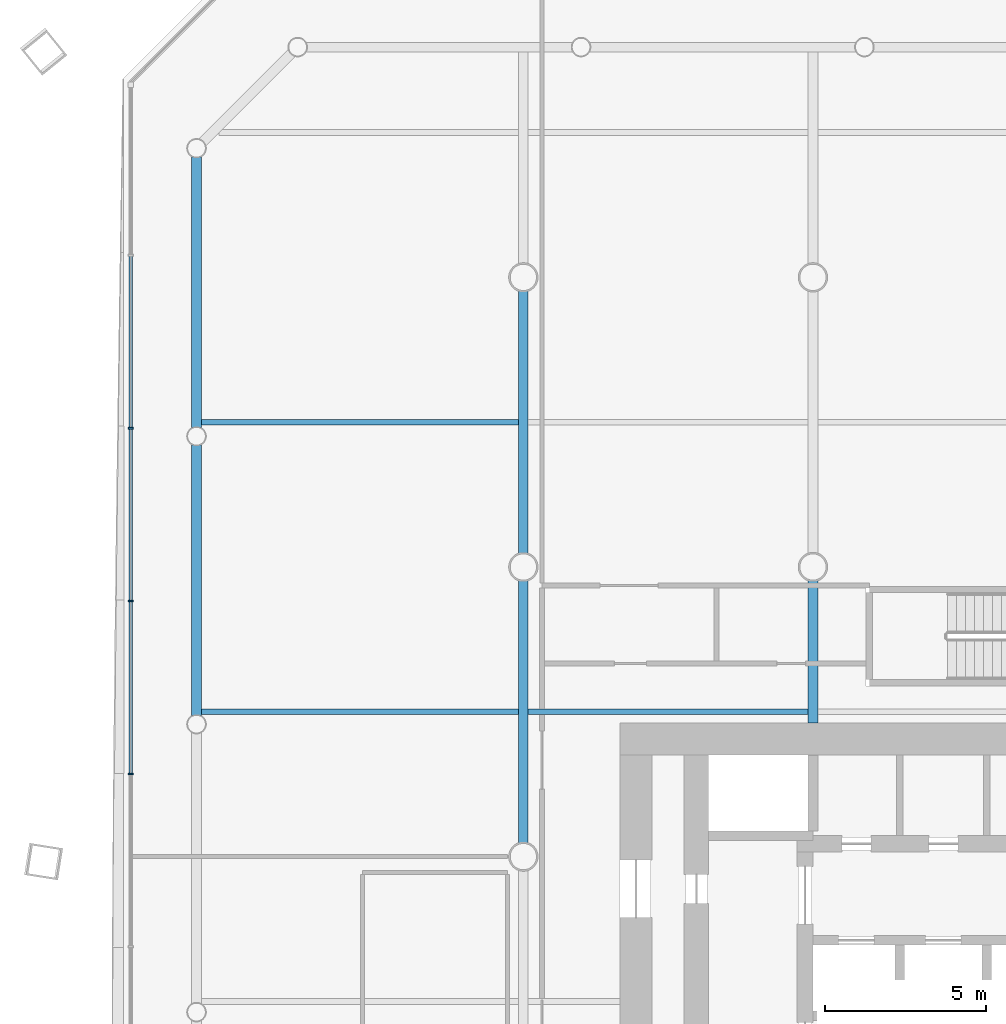
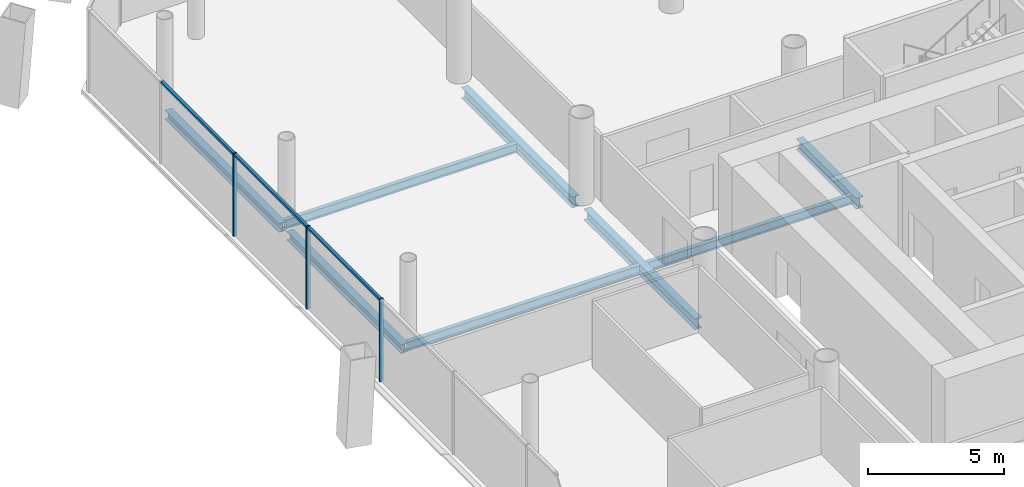
# One storey, part 8 of 22: 8 beams, 6 members, 1 element without a shape of its own.
"""IFC4 building model written with IfcOpenShell, lengths in metres."""

from ifc_helpers import new_model, si_unit, direction, frame, origin, origin_2d, place, context, subcontext, project, spatial, rectangle, i_section, extrude, material, material_profile, profile_set, type_object, element, aggregate, save


model = new_model("IFC4")

# Units and contexts
model_context = context("Model", 3, precision=1e-05, world=origin(), true_north=direction((0.0, 1.0)))
body_context = subcontext(model_context, "Body", "Model", "MODEL_VIEW")
ifc_project = project(units=[si_unit("LENGTHUNIT", "METRE"), si_unit("AREAUNIT", "SQUARE_METRE"), si_unit("VOLUMEUNIT", "CUBIC_METRE"), si_unit("PLANEANGLEUNIT", "RADIAN"), si_unit("MASSUNIT", "GRAM", prefix="KILO")], contexts=[model_context])

# Site, building, storey
site_placement = place(None, origin())
site = spatial("IfcSite", under=ifc_project, at=site_placement, CompositionType="ELEMENT")
building_placement = place(site_placement, origin())
building = spatial("IfcBuilding", under=site, at=building_placement, Name="Tskaro Facet Tower", CompositionType="ELEMENT")
storey_placement = place(building_placement, frame((0.0, 0.0, 30.300048828125)))
storey = spatial("IfcBuildingStorey", under=building, at=storey_placement, Name="L06", CompositionType="ELEMENT", Elevation=30.300048828125)

# Curtain wall, members
ifc_material_1 = material(Name="Bronze anodised aluminium 6063-T6", Category="aluminium")
curtain_wall_type = type_object("IfcCurtainWallType", Name="Bronze office curtain wall (FW1)", PredefinedType="NOTDEFINED", material=ifc_material_1)
curtain_wall_placement = place(storey_placement, origin())
curtain_wall = element("IfcCurtainWall", 1, at=curtain_wall_placement, inside=storey, type_object=curtain_wall_type, Name="FW1 west facet L06", PredefinedType="NOTDEFINED")
ifc_material_profile_1 = material_profile(ifc_material_1, rectangle(XDim=0.06005859375, YDim=0.159912109375, at=origin_2d()), Name="Mullion 60x160")
ifc_profile_set_1 = profile_set([ifc_material_profile_1], Name="Bronze anodised aluminium 6063-T6")
member_type_1 = type_object("IfcMemberType", Name="FW1 bronze mullion 60x160", PredefinedType="MULLION", material=ifc_profile_set_1)
member_1_placement = place(storey_placement, frame((-30.201904296875, 13.31689453125, 0.0), z_axis=(0.0, 0.0, 1.0), x_axis=(0.0, -1.0, 0.0)))
member_1 = element("IfcMember", 2, at=member_1_placement, type_object=member_type_1, Name="FW1 west mullion 2", PredefinedType="MULLION", context=body_context, shape_type="SweptSolid", body=[
    extrude(rectangle(XDim=0.06005859375, YDim=0.159912109375, at=origin_2d()), origin(), (0.0, 0.0, 1.0), 3.699951171875),
])
member_2_placement = place(storey_placement, frame((-30.201904296875, 7.9423828125, 0.0), z_axis=(0.0, 0.0, 1.0), x_axis=(0.0, -1.0, 0.0)))
member_2 = element("IfcMember", 3, at=member_2_placement, type_object=member_type_1, Name="FW1 west mullion 3", PredefinedType="MULLION", context=body_context, shape_type="SweptSolid", body=[
    extrude(rectangle(XDim=0.06005859375, YDim=0.159912109375, at=origin_2d()), origin(), (0.0, 0.0, 1.0), 3.699951171875),
])
member_3_placement = place(storey_placement, frame((-30.201904296875, 2.56787109375, 0.0), z_axis=(0.0, 0.0, 1.0), x_axis=(0.0, -1.0, 0.0)))
member_3 = element("IfcMember", 4, at=member_3_placement, type_object=member_type_1, Name="FW1 west mullion 4", PredefinedType="MULLION", context=body_context, shape_type="SweptSolid", body=[
    extrude(rectangle(XDim=0.06005859375, YDim=0.159912109375, at=origin_2d()), origin(), (0.0, 0.0, 1.0), 3.699951171875),
])
ifc_material_profile_2 = material_profile(ifc_material_1, rectangle(XDim=0.1201171875, YDim=0.10009765625, at=origin_2d()), Name="Transom 120x100")
ifc_profile_set_2 = profile_set([ifc_material_profile_2], Name="Bronze anodised aluminium 6063-T6")
member_type_2 = type_object("IfcMemberType", Name="FW1 bronze transom 120x100", PredefinedType="USERDEFINED", material=ifc_profile_set_2)
member_4_placement = place(storey_placement, frame((-30.201904296875, 18.661376953125, 3.64990234375), z_axis=(0.0, -1.0, 0.0), x_axis=(1.0, 0.0, 0.0)))
member_4 = element("IfcMember", 5, at=member_4_placement, type_object=member_type_2, Name="FW1 west transom 2.1", ObjectType="TRANSOM", PredefinedType="USERDEFINED", context=body_context, shape_type="SweptSolid", body=[
    extrude(rectangle(XDim=0.1201171875, YDim=0.10009765625, at=origin_2d()), origin(), (0.0, 0.0, 1.0), 5.314453125),
])
member_5_placement = place(storey_placement, frame((-30.201904296875, 13.286865234375, 3.64990234375), z_axis=(0.0, -1.0, 0.0), x_axis=(1.0, 0.0, 0.0)))
member_5 = element("IfcMember", 6, at=member_5_placement, type_object=member_type_2, Name="FW1 west transom 3.1", ObjectType="TRANSOM", PredefinedType="USERDEFINED", context=body_context, shape_type="SweptSolid", body=[
    extrude(rectangle(XDim=0.1201171875, YDim=0.10009765625, at=origin_2d()), origin(), (0.0, 0.0, 1.0), 5.314453125),
])
member_6_placement = place(storey_placement, frame((-30.201904296875, 7.912353515625, 3.64990234375), z_axis=(0.0, -1.0, 0.0), x_axis=(1.0, 0.0, 0.0)))
member_6 = element("IfcMember", 7, at=member_6_placement, type_object=member_type_2, Name="FW1 west transom 4.1", ObjectType="TRANSOM", PredefinedType="USERDEFINED", context=body_context, shape_type="SweptSolid", body=[
    extrude(rectangle(XDim=0.1201171875, YDim=0.10009765625, at=origin_2d()), origin(), (0.0, 0.0, 1.0), 5.314697265625),
])
aggregate(curtain_wall, [member_1, member_2, member_3, member_4, member_5, member_6])

# Beams
ifc_material_2 = material(Name="Steel S355J2", Category="steel")
ifc_material_profile_3 = material_profile(ifc_material_2, i_section(OverallWidth=0.300048828125, OverallDepth=0.39990234375, WebThickness=0.013427734375, FlangeThickness=0.02392578125, FilletRadius=0.027099609375, at=origin_2d()), Name="HE 400 B")
ifc_profile_set_3 = profile_set([ifc_material_profile_3], Name="Steel S355J2")
beam_type_1 = type_object("IfcBeamType", Name="HE 400 B ring beam", PredefinedType="BEAM", material=ifc_profile_set_3)
for number, where, z_axis, x_axis, name in (
    (8, (-28.156982421875, 21.737060546875, -0.340087890625), (0.0, -1.0, 0.0), (1.0, 0.0, 0.0), "HE 400 B EB20-1"),
    (9, (-28.156982421875, 12.7890625, -0.340087890625), (0.0, -1.0, 0.0), (1.0, 0.0, 0.0), "HE 400 B EB21-1"),
):
    element("IfcBeam", number, at=place(storey_placement, frame(where, z_axis=z_axis, x_axis=x_axis)), inside=storey, type_object=beam_type_1, Name=name, PredefinedType="BEAM", context=body_context, shape_type="SweptSolid", body=[
        extrude(i_section(OverallWidth=0.300048828125, OverallDepth=0.39990234375, WebThickness=0.013427734375, FlangeThickness=0.02392578125, FilletRadius=0.027099609375, at=origin_2d()), origin(), (0.0, 0.0, 1.0), 8.39794921875),
    ])
ifc_material_profile_4 = material_profile(ifc_material_2, i_section(OverallWidth=0.300048828125, OverallDepth=0.489990234375, WebThickness=0.011962890625, FlangeThickness=0.02294921875, FilletRadius=0.027099609375, at=origin_2d()), Name="HE 500 A")
ifc_profile_set_4 = profile_set([ifc_material_profile_4], Name="Steel S355J2")
beam_type_2 = type_object("IfcBeamType", Name="HE 500 A girder", PredefinedType="BEAM", material=ifc_profile_set_4)
for number, where, z_axis, x_axis, name in (
    (10, (-18.0, 0.42724609375, -0.385009765625), (0.0, 1.0, 0.0), (-1.0, 0.0, 0.0), "HE 500 A GB2-4-1"),
    (11, (-18.0, 9.42724609375, -0.385009765625), (0.0, 1.0, 0.0), (-1.0, 0.0, 0.0), "HE 500 A GB2-5-1"),
):
    element("IfcBeam", number, at=place(storey_placement, frame(where, z_axis=z_axis, x_axis=x_axis)), inside=storey, type_object=beam_type_2, Name=name, PredefinedType="BEAM", context=body_context, shape_type="SweptSolid", body=[
        extrude(i_section(OverallWidth=0.300048828125, OverallDepth=0.489990234375, WebThickness=0.011962890625, FlangeThickness=0.02294921875, FilletRadius=0.027099609375, at=origin_2d()), origin(), (0.0, 0.0, 1.0), 8.1455078125),
    ])
beam_1_placement = place(storey_placement, frame((-9.0, 4.14990234375, -0.385009765625), z_axis=(0.0, 1.0, 0.0), x_axis=(-1.0, 0.0, 0.0)))
element("IfcBeam", 12, at=beam_1_placement, inside=storey, type_object=beam_type_2, Name="HE 500 A GB3-3-1", PredefinedType="BEAM", context=body_context, shape_type="SweptSolid", body=[
    extrude(i_section(OverallWidth=0.300048828125, OverallDepth=0.489990234375, WebThickness=0.011962890625, FlangeThickness=0.02294921875, FilletRadius=0.027099609375, at=origin_2d()), origin(), (0.0, 0.0, 1.0), 4.4228515625),
])
ifc_material_profile_5 = material_profile(ifc_material_2, i_section(OverallWidth=0.179931640625, OverallDepth=0.39990234375, WebThickness=0.008544921875, FlangeThickness=0.013427734375, FilletRadius=0.02099609375, at=origin_2d()), Name="IPE 400")
ifc_profile_set_5 = profile_set([ifc_material_profile_5], Name="Steel S355J2")
beam_type_3 = type_object("IfcBeamType", Name="IPE 400 secondary beam", PredefinedType="BEAM", material=ifc_profile_set_5)
beam_2_placement = place(storey_placement, frame((-28.007080078125, 4.5, -0.340087890625), z_axis=(1.0, 0.0, 0.0), x_axis=(0.0, 1.0, 0.0)))
element("IfcBeam", 13, at=beam_2_placement, inside=storey, type_object=beam_type_3, Name="IPE 400 SB4a-1-1", PredefinedType="BEAM", context=body_context, shape_type="SweptSolid", body=[
    extrude(i_section(OverallWidth=0.179931640625, OverallDepth=0.39990234375, WebThickness=0.008544921875, FlangeThickness=0.013427734375, FilletRadius=0.02099609375, at=origin_2d()), origin(), (0.0, 0.0, 1.0), 9.857177734375),
])
beam_3_placement = place(storey_placement, frame((-17.85009765625, 4.5, -0.340087890625), z_axis=(1.0, 0.0, 0.0), x_axis=(0.0, 1.0, 0.0)))
element("IfcBeam", 14, at=beam_3_placement, inside=storey, type_object=beam_type_3, Name="IPE 400 SB4a-2-1", PredefinedType="BEAM", context=body_context, shape_type="SweptSolid", body=[
    extrude(i_section(OverallWidth=0.179931640625, OverallDepth=0.39990234375, WebThickness=0.008544921875, FlangeThickness=0.013427734375, FilletRadius=0.02099609375, at=origin_2d()), origin(), (0.0, 0.0, 1.0), 8.7001953125),
])
beam_4_placement = place(storey_placement, frame((-28.007080078125, 13.5, -0.340087890625), z_axis=(1.0, 0.0, 0.0), x_axis=(0.0, 1.0, 0.0)))
element("IfcBeam", 15, at=beam_4_placement, inside=storey, type_object=beam_type_3, Name="IPE 400 SB5a-1-1", PredefinedType="BEAM", context=body_context, shape_type="SweptSolid", body=[
    extrude(i_section(OverallWidth=0.179931640625, OverallDepth=0.39990234375, WebThickness=0.008544921875, FlangeThickness=0.013427734375, FilletRadius=0.02099609375, at=origin_2d()), origin(), (0.0, 0.0, 1.0), 9.857177734375),
])

save(model, "model.ifc")
